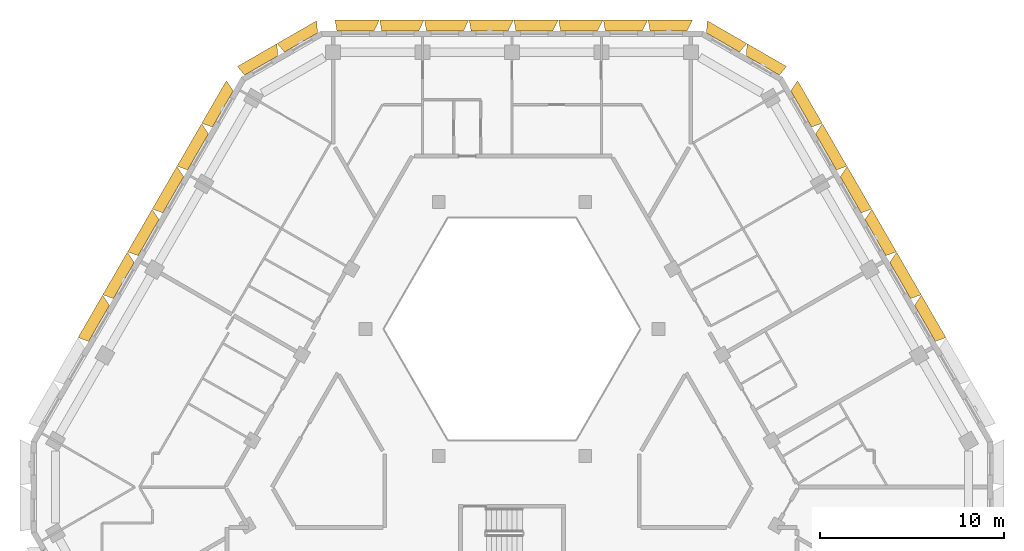
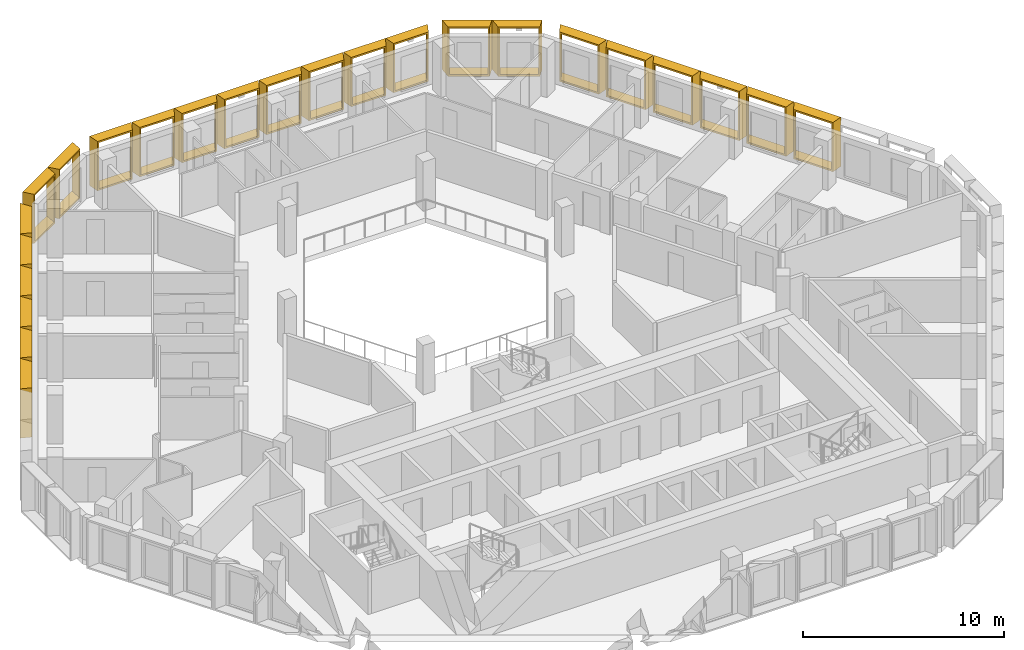
# One storey, part 18 of 18: 24 shading devices.
"""IFC4 building model written with IfcOpenShell, lengths in metres."""

from ifc_helpers import new_model, entity, si_unit, direction, frame, origin, place, context, subcontext, project, spatial, source, transform, mapped, material, type_object, type_shapes, element, save


model = new_model("IFC4")

# Units and contexts
model_context = context("Model", 3, precision=1e-05, world=origin(), true_north=direction((0.0, 1.0)))
body_context = subcontext(model_context, "Body", "Model", "MODEL_VIEW")
ifc_project = project(units=[si_unit("LENGTHUNIT", "METRE"), si_unit("AREAUNIT", "SQUARE_METRE"), si_unit("VOLUMEUNIT", "CUBIC_METRE"), si_unit("PLANEANGLEUNIT", "RADIAN"), si_unit("MASSUNIT", "GRAM", prefix="KILO")], contexts=[model_context])

# Site, building, storey
site_placement = place(None, origin())
site = spatial("IfcSite", under=ifc_project, at=site_placement, CompositionType="ELEMENT")
building_placement = place(site_placement, origin())
building = spatial("IfcBuilding", under=site, at=building_placement, Name="Beryl Residences", CompositionType="ELEMENT")
storey_placement = place(building_placement, frame((0.0, 0.0, 196.199951171875)))
storey = spatial("IfcBuildingStorey", under=building, at=storey_placement, Name="L60", CompositionType="ELEMENT", Elevation=196.199951171875)

# Shading devices
ifc_material_1 = material(Name="Aluminium pale anodised", Category="aluminium")
shading_device_type_1 = type_object("IfcShadingDeviceType", Name="FR243-60B OUTER SKIN frame 600 mm deep, splay 26/10 deg, 2430 x 3000 mm cell", PredefinedType="USERDEFINED", material=ifc_material_1)
cartesian_point_1 = entity("IfcCartesianPoint", [-1.005615234375, 0.0])
cartesian_point_2 = entity("IfcCartesianPoint", [-0.91650390625, 0.10009765625])
cartesian_point_3 = entity("IfcCartesianPoint", [-1.298095703125, 0.0])
cartesian_point_4 = entity("IfcCartesianPoint", [-1.209228515625, 0.10009765625])
shared_shape_1 = source(origin(), body_context, "Body", "SweptSolid", [
    entity("IfcExtrudedAreaSolidTapered", entity("IfcArbitraryProfileDefWithVoids", "AREA", None, entity("IfcPolyline", [cartesian_point_1, entity("IfcCartesianPoint", [1.005615234375, 0.0]), entity("IfcCartesianPoint", [1.005615234375, 3.0]), entity("IfcCartesianPoint", [-1.005615234375, 3.0]), cartesian_point_1]), [entity("IfcPolyline", [cartesian_point_2, entity("IfcCartesianPoint", [0.92431640625, 0.10009765625]), entity("IfcCartesianPoint", [0.92431640625, 2.89990234375]), entity("IfcCartesianPoint", [-0.91650390625, 2.89990234375]), cartesian_point_2])]), entity("IfcAxis2Placement3D", entity("IfcCartesianPoint", [0.0, 0.0, 0.0]), entity("IfcDirection", [0.0, 1.0, 0.0]), entity("IfcDirection", [-1.0, 0.0, 0.0])), entity("IfcDirection", [0.0, 0.0, 1.0]), 0.60009765625, entity("IfcArbitraryProfileDefWithVoids", "AREA", None, entity("IfcPolyline", [cartesian_point_3, entity("IfcCartesianPoint", [1.111328125, 0.0]), entity("IfcCartesianPoint", [1.111328125, 3.0]), entity("IfcCartesianPoint", [-1.298095703125, 3.0]), cartesian_point_3]), [entity("IfcPolyline", [cartesian_point_4, entity("IfcCartesianPoint", [1.030029296875, 0.10009765625]), entity("IfcCartesianPoint", [1.030029296875, 2.89990234375]), entity("IfcCartesianPoint", [-1.209228515625, 2.89990234375]), cartesian_point_4])])),
])
type_shapes(shading_device_type_1, [shared_shape_1])
for number, where, z_axis, x_axis, name in (
    (1, (8.511962890625, 24.199951171875, 0.0), (0.0, 0.0, 1.0), (1.0, 0.0, 0.0), "FR243-60B frame L60 N 1"),
    (2, (6.080078125, 24.199951171875, 0.0), (0.0, 0.0, 1.0), (1.0, 0.0, 0.0), "FR243-60B frame L60 N 2"),
    (3, (3.64794921875, 24.199951171875, 0.0), (0.0, 0.0, 1.0), (1.0, 0.0, 0.0), "FR243-60B frame L60 N 3"),
    (4, (1.216064453125, 24.199951171875, 0.0), (0.0, 0.0, 1.0), (1.0, 0.0, 0.0), "FR243-60B frame L60 N 4"),
    (5, (-1.216064453125, 24.199951171875, 0.0), (0.0, 0.0, 1.0), (1.0, 0.0, 0.0), "FR243-60B frame L60 N 5"),
    (6, (-3.64794921875, 24.199951171875, 0.0), (0.0, 0.0, 1.0), (1.0, 0.0, 0.0), "FR243-60B frame L60 N 6"),
    (7, (-6.080078125, 24.199951171875, 0.0), (0.0, 0.0, 1.0), (1.0, 0.0, 0.0), "FR243-60B frame L60 N 7"),
    (8, (-8.511962890625, 24.199951171875, 0.0), (0.0, 0.0, 1.0), (1.0, 0.0, 0.0), "FR243-60B frame L60 N 8"),
):
    element("IfcShadingDevice", number, at=place(storey_placement, frame(where, z_axis=z_axis, x_axis=x_axis)), inside=storey, type_object=shading_device_type_1, Name=name, ObjectType="OUTER SKIN", PredefinedType="USERDEFINED", context=body_context, shape_type="MappedRepresentation", body=[
        mapped(shared_shape_1, transform((0.0, 0.0, 0.0))),
    ])
ifc_material_2 = material(Name="Aluminium pale anodised", Category="aluminium")
shading_device_type_2 = type_object("IfcShadingDeviceType", Name="FR250-60B OUTER SKIN frame 600 mm deep, splay 26/10 deg, 2500 x 3000 mm cell", PredefinedType="USERDEFINED", material=ifc_material_2)
cartesian_point_5 = entity("IfcCartesianPoint", [-1.04052734375, 0.0])
cartesian_point_6 = entity("IfcCartesianPoint", [-0.951416015625, 0.10009765625])
cartesian_point_7 = entity("IfcCartesianPoint", [-1.333251953125, 0.0])
cartesian_point_8 = entity("IfcCartesianPoint", [-1.244140625, 0.10009765625])
shared_shape_2 = source(origin(), body_context, "Body", "SweptSolid", [
    entity("IfcExtrudedAreaSolidTapered", entity("IfcArbitraryProfileDefWithVoids", "AREA", None, entity("IfcPolyline", [cartesian_point_5, entity("IfcCartesianPoint", [1.04052734375, 0.0]), entity("IfcCartesianPoint", [1.04052734375, 3.0]), entity("IfcCartesianPoint", [-1.04052734375, 3.0]), cartesian_point_5]), [entity("IfcPolyline", [cartesian_point_6, entity("IfcCartesianPoint", [0.959228515625, 0.10009765625]), entity("IfcCartesianPoint", [0.959228515625, 2.89990234375]), entity("IfcCartesianPoint", [-0.951416015625, 2.89990234375]), cartesian_point_6])]), entity("IfcAxis2Placement3D", entity("IfcCartesianPoint", [0.0, 0.0, 0.0]), entity("IfcDirection", [0.0, 1.0, 0.0]), entity("IfcDirection", [-1.0, 0.0, 0.0])), entity("IfcDirection", [0.0, 0.0, 1.0]), 0.60009765625, entity("IfcArbitraryProfileDefWithVoids", "AREA", None, entity("IfcPolyline", [cartesian_point_7, entity("IfcCartesianPoint", [1.146240234375, 0.0]), entity("IfcCartesianPoint", [1.146240234375, 3.0]), entity("IfcCartesianPoint", [-1.333251953125, 3.0]), cartesian_point_7]), [entity("IfcPolyline", [cartesian_point_8, entity("IfcCartesianPoint", [1.06494140625, 0.10009765625]), entity("IfcCartesianPoint", [1.06494140625, 2.89990234375]), entity("IfcCartesianPoint", [-1.244140625, 2.89990234375]), cartesian_point_8])])),
])
type_shapes(shading_device_type_2, [shared_shape_2])
for number, where, z_axis, x_axis, name in (
    (9, (-11.47412109375, 23.574951171875, 0.0), (0.0, 0.0, 1.0), (0.866025403784, 0.5, 0.0), "FR250-60B frame L60 N-NW 1"),
    (10, (-13.638916015625, 22.324951171875, 0.0), (0.0, 0.0, 1.0), (0.866025403784, 0.5, 0.0), "FR250-60B frame L60 N-NW 2"),
):
    element("IfcShadingDevice", number, at=place(storey_placement, frame(where, z_axis=z_axis, x_axis=x_axis)), inside=storey, type_object=shading_device_type_2, Name=name, ObjectType="OUTER SKIN", PredefinedType="USERDEFINED", context=body_context, shape_type="MappedRepresentation", body=[
        mapped(shared_shape_2, transform((0.0, 0.0, 0.0))),
    ])
ifc_material_3 = material(Name="Aluminium pale anodised", Category="aluminium")
shading_device_type_3 = type_object("IfcShadingDeviceType", Name="FR250-60C OUTER SKIN frame 600 mm deep, splay 10/26 deg, 2500 x 3000 mm cell", PredefinedType="USERDEFINED", material=ifc_material_3)
cartesian_point_9 = entity("IfcCartesianPoint", [-1.04052734375, 0.0])
cartesian_point_10 = entity("IfcCartesianPoint", [-0.959228515625, 0.10009765625])
cartesian_point_11 = entity("IfcCartesianPoint", [-1.146240234375, 0.0])
cartesian_point_12 = entity("IfcCartesianPoint", [-1.06494140625, 0.10009765625])
shared_shape_3 = source(origin(), body_context, "Body", "SweptSolid", [
    entity("IfcExtrudedAreaSolidTapered", entity("IfcArbitraryProfileDefWithVoids", "AREA", None, entity("IfcPolyline", [cartesian_point_9, entity("IfcCartesianPoint", [1.04052734375, 0.0]), entity("IfcCartesianPoint", [1.04052734375, 3.0]), entity("IfcCartesianPoint", [-1.04052734375, 3.0]), cartesian_point_9]), [entity("IfcPolyline", [cartesian_point_10, entity("IfcCartesianPoint", [0.951416015625, 0.10009765625]), entity("IfcCartesianPoint", [0.951416015625, 2.89990234375]), entity("IfcCartesianPoint", [-0.959228515625, 2.89990234375]), cartesian_point_10])]), entity("IfcAxis2Placement3D", entity("IfcCartesianPoint", [0.0, 0.0, 0.0]), entity("IfcDirection", [0.0, 1.0, 0.0]), entity("IfcDirection", [-1.0, 0.0, 0.0])), entity("IfcDirection", [0.0, 0.0, 1.0]), 0.60009765625, entity("IfcArbitraryProfileDefWithVoids", "AREA", None, entity("IfcPolyline", [cartesian_point_11, entity("IfcCartesianPoint", [1.333251953125, 0.0]), entity("IfcCartesianPoint", [1.333251953125, 3.0]), entity("IfcCartesianPoint", [-1.146240234375, 3.0]), cartesian_point_11]), [entity("IfcPolyline", [cartesian_point_12, entity("IfcCartesianPoint", [1.244140625, 0.10009765625]), entity("IfcCartesianPoint", [1.244140625, 2.89990234375]), entity("IfcCartesianPoint", [-1.06494140625, 2.89990234375]), cartesian_point_12])])),
])
type_shapes(shading_device_type_3, [shared_shape_3])
for number, where, z_axis, x_axis, name in (
    (11, (13.638916015625, 22.324951171875, 0.0), (0.0, 0.0, 1.0), (0.866025403784, -0.5, 0.0), "FR250-60C frame L60 NE-N 1"),
    (12, (11.47412109375, 23.574951171875, 0.0), (0.0, 0.0, 1.0), (0.866025403784, -0.5, 0.0), "FR250-60C frame L60 NE-N 2"),
):
    element("IfcShadingDevice", number, at=place(storey_placement, frame(where, z_axis=z_axis, x_axis=x_axis)), inside=storey, type_object=shading_device_type_3, Name=name, ObjectType="OUTER SKIN", PredefinedType="USERDEFINED", context=body_context, shape_type="MappedRepresentation", body=[
        mapped(shared_shape_3, transform((0.0, 0.0, 0.0))),
    ])
ifc_material_4 = material(Name="Aluminium pale anodised", Category="aluminium")
shading_device_type_4 = type_object("IfcShadingDeviceType", Name="FR269-60B OUTER SKIN frame 600 mm deep, splay 26/10 deg, 2690 x 3000 mm cell", PredefinedType="USERDEFINED", material=ifc_material_4)
cartesian_point_13 = entity("IfcCartesianPoint", [-1.135498046875, 0.0])
cartesian_point_14 = entity("IfcCartesianPoint", [-1.04638671875, 0.10009765625])
cartesian_point_15 = entity("IfcCartesianPoint", [-1.42822265625, 0.0])
cartesian_point_16 = entity("IfcCartesianPoint", [-1.339111328125, 0.10009765625])
shared_shape_4 = source(origin(), body_context, "Body", "SweptSolid", [
    entity("IfcExtrudedAreaSolidTapered", entity("IfcArbitraryProfileDefWithVoids", "AREA", None, entity("IfcPolyline", [cartesian_point_13, entity("IfcCartesianPoint", [1.135498046875, 0.0]), entity("IfcCartesianPoint", [1.135498046875, 3.0]), entity("IfcCartesianPoint", [-1.135498046875, 3.0]), cartesian_point_13]), [entity("IfcPolyline", [cartesian_point_14, entity("IfcCartesianPoint", [1.05419921875, 0.10009765625]), entity("IfcCartesianPoint", [1.05419921875, 2.89990234375]), entity("IfcCartesianPoint", [-1.04638671875, 2.89990234375]), cartesian_point_14])]), entity("IfcAxis2Placement3D", entity("IfcCartesianPoint", [0.0, 0.0, 0.0]), entity("IfcDirection", [0.0, 1.0, 0.0]), entity("IfcDirection", [-1.0, 0.0, 0.0])), entity("IfcDirection", [0.0, 0.0, 1.0]), 0.60009765625, entity("IfcArbitraryProfileDefWithVoids", "AREA", None, entity("IfcPolyline", [cartesian_point_15, entity("IfcCartesianPoint", [1.2412109375, 0.0]), entity("IfcCartesianPoint", [1.2412109375, 3.0]), entity("IfcCartesianPoint", [-1.42822265625, 3.0]), cartesian_point_15]), [entity("IfcPolyline", [cartesian_point_16, entity("IfcCartesianPoint", [1.16015625, 0.10009765625]), entity("IfcCartesianPoint", [1.16015625, 2.89990234375]), entity("IfcCartesianPoint", [-1.339111328125, 2.89990234375]), cartesian_point_16])])),
])
type_shapes(shading_device_type_4, [shared_shape_4])
for number, where, z_axis, x_axis, name in (
    (13, (-15.72705078125, 19.9599609375, 0.0), (0.0, 0.0, 1.0), (0.5, 0.866025403784, 0.0), "FR269-60B frame L60 NW 1"),
    (14, (-17.072998046875, 17.6279296875, 0.0), (0.0, 0.0, 1.0), (0.5, 0.866025403784, 0.0), "FR269-60B frame L60 NW 2"),
    (15, (-18.4189453125, 15.297119140625, 0.0), (0.0, 0.0, 1.0), (0.5, 0.866025403784, 0.0), "FR269-60B frame L60 NW 3"),
    (16, (-19.764892578125, 12.966064453125, 0.0), (0.0, 0.0, 1.0), (0.5, 0.866025403784, 0.0), "FR269-60B frame L60 NW 4"),
    (17, (-21.111083984375, 10.634033203125, 0.0), (0.0, 0.0, 1.0), (0.5, 0.866025403784, 0.0), "FR269-60B frame L60 NW 5"),
    (18, (-22.45703125, 8.302978515625, 0.0), (0.0, 0.0, 1.0), (0.5, 0.866025403784, 0.0), "FR269-60B frame L60 NW 6"),
):
    element("IfcShadingDevice", number, at=place(storey_placement, frame(where, z_axis=z_axis, x_axis=x_axis)), inside=storey, type_object=shading_device_type_4, Name=name, ObjectType="OUTER SKIN", PredefinedType="USERDEFINED", context=body_context, shape_type="MappedRepresentation", body=[
        mapped(shared_shape_4, transform((0.0, 0.0, 0.0))),
    ])
ifc_material_5 = material(Name="Aluminium pale anodised", Category="aluminium")
shading_device_type_5 = type_object("IfcShadingDeviceType", Name="FR269-60C OUTER SKIN frame 600 mm deep, splay 10/26 deg, 2690 x 3000 mm cell", PredefinedType="USERDEFINED", material=ifc_material_5)
cartesian_point_17 = entity("IfcCartesianPoint", [-1.135498046875, 0.0])
cartesian_point_18 = entity("IfcCartesianPoint", [-1.05419921875, 0.10009765625])
cartesian_point_19 = entity("IfcCartesianPoint", [-1.2412109375, 0.0])
cartesian_point_20 = entity("IfcCartesianPoint", [-1.16015625, 0.10009765625])
shared_shape_5 = source(origin(), body_context, "Body", "SweptSolid", [
    entity("IfcExtrudedAreaSolidTapered", entity("IfcArbitraryProfileDefWithVoids", "AREA", None, entity("IfcPolyline", [cartesian_point_17, entity("IfcCartesianPoint", [1.135498046875, 0.0]), entity("IfcCartesianPoint", [1.135498046875, 3.0]), entity("IfcCartesianPoint", [-1.135498046875, 3.0]), cartesian_point_17]), [entity("IfcPolyline", [cartesian_point_18, entity("IfcCartesianPoint", [1.04638671875, 0.10009765625]), entity("IfcCartesianPoint", [1.04638671875, 2.89990234375]), entity("IfcCartesianPoint", [-1.05419921875, 2.89990234375]), cartesian_point_18])]), entity("IfcAxis2Placement3D", entity("IfcCartesianPoint", [0.0, 0.0, 0.0]), entity("IfcDirection", [0.0, 1.0, 0.0]), entity("IfcDirection", [-1.0, 0.0, 0.0])), entity("IfcDirection", [0.0, 0.0, 1.0]), 0.60009765625, entity("IfcArbitraryProfileDefWithVoids", "AREA", None, entity("IfcPolyline", [cartesian_point_19, entity("IfcCartesianPoint", [1.42822265625, 0.0]), entity("IfcCartesianPoint", [1.42822265625, 3.0]), entity("IfcCartesianPoint", [-1.2412109375, 3.0]), cartesian_point_19]), [entity("IfcPolyline", [cartesian_point_20, entity("IfcCartesianPoint", [1.339111328125, 0.10009765625]), entity("IfcCartesianPoint", [1.339111328125, 2.89990234375]), entity("IfcCartesianPoint", [-1.16015625, 2.89990234375]), cartesian_point_20])])),
])
type_shapes(shading_device_type_5, [shared_shape_5])
for number, where, z_axis, x_axis, name in (
    (19, (22.45703125, 8.302978515625, 0.0), (0.0, 0.0, 1.0), (0.5, -0.866025403784, 0.0), "FR269-60C frame L60 NE 3"),
    (20, (21.111083984375, 10.634033203125, 0.0), (0.0, 0.0, 1.0), (0.5, -0.866025403784, 0.0), "FR269-60C frame L60 NE 4"),
    (21, (19.764892578125, 12.966064453125, 0.0), (0.0, 0.0, 1.0), (0.5, -0.866025403784, 0.0), "FR269-60C frame L60 NE 5"),
    (22, (18.4189453125, 15.297119140625, 0.0), (0.0, 0.0, 1.0), (0.5, -0.866025403784, 0.0), "FR269-60C frame L60 NE 6"),
    (23, (17.072998046875, 17.6279296875, 0.0), (0.0, 0.0, 1.0), (0.5, -0.866025403784, 0.0), "FR269-60C frame L60 NE 7"),
    (24, (15.72705078125, 19.9599609375, 0.0), (0.0, 0.0, 1.0), (0.5, -0.866025403784, 0.0), "FR269-60C frame L60 NE 8"),
):
    element("IfcShadingDevice", number, at=place(storey_placement, frame(where, z_axis=z_axis, x_axis=x_axis)), inside=storey, type_object=shading_device_type_5, Name=name, ObjectType="OUTER SKIN", PredefinedType="USERDEFINED", context=body_context, shape_type="MappedRepresentation", body=[
        mapped(shared_shape_5, transform((0.0, 0.0, 0.0))),
    ])

save(model, "model.ifc")
